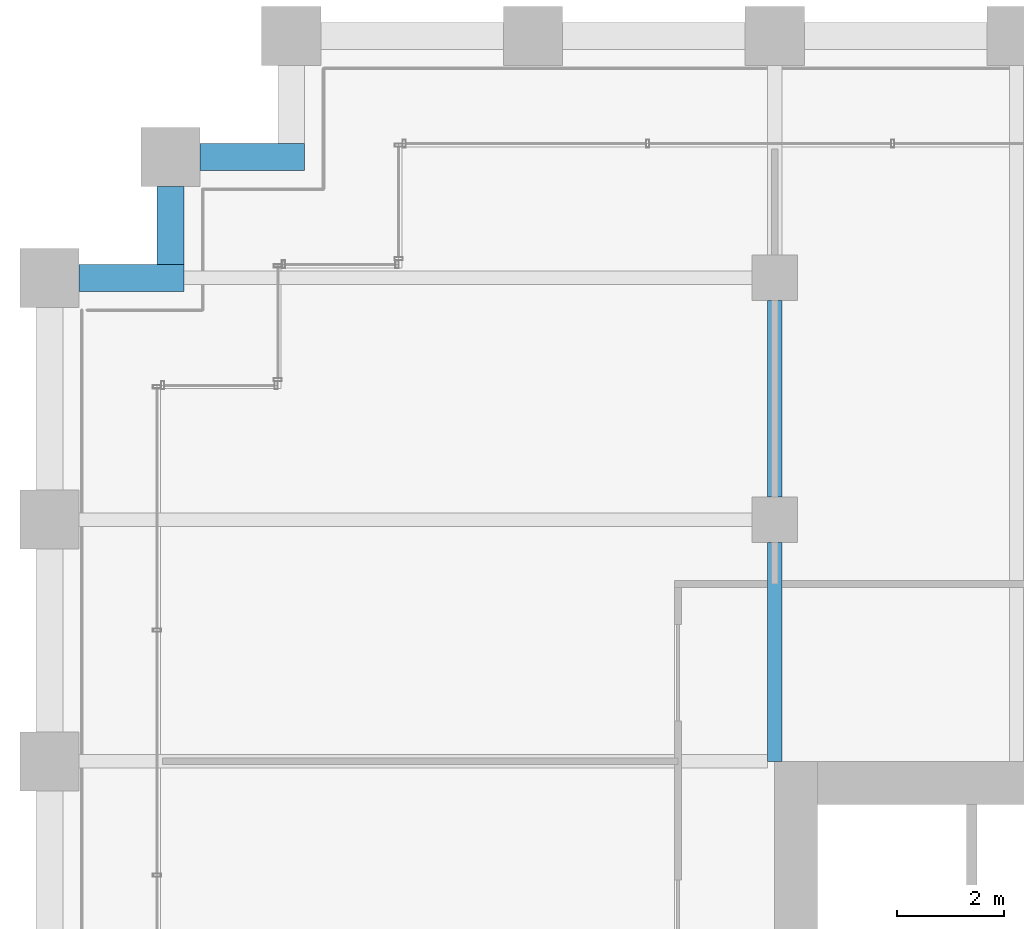
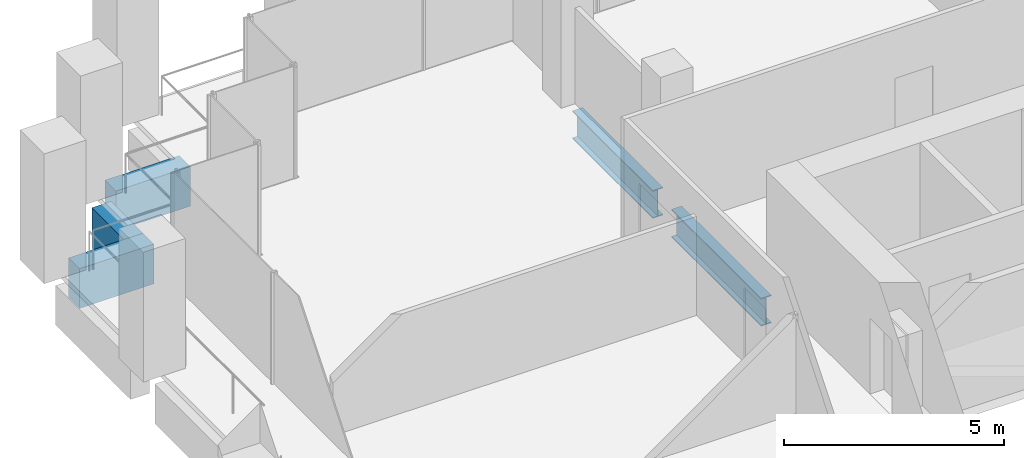
# One storey, part 25 of 56: 5 beams.
"""IFC4 building model written with IfcOpenShell, lengths in metres."""

from ifc_helpers import new_model, si_unit, direction, frame, origin, origin_2d, place, context, subcontext, project, spatial, rectangle, i_section, extrude, material, material_profile, profile_set, type_object, element, save


model = new_model("IFC4")

# Units and contexts
model_context = context("Model", 3, precision=1e-05, world=origin(), true_north=direction((0.0, 1.0)))
body_context = subcontext(model_context, "Body", "Model", "MODEL_VIEW")
ifc_project = project(units=[si_unit("LENGTHUNIT", "METRE"), si_unit("AREAUNIT", "SQUARE_METRE"), si_unit("VOLUMEUNIT", "CUBIC_METRE"), si_unit("PLANEANGLEUNIT", "RADIAN"), si_unit("MASSUNIT", "GRAM", prefix="KILO")], contexts=[model_context])

# Site, building, storey
site_placement = place(None, origin())
site = spatial("IfcSite", under=ifc_project, at=site_placement, CompositionType="ELEMENT")
building_placement = place(site_placement, origin())
building = spatial("IfcBuilding", under=site, at=building_placement, Name="Altepetl Exchange Towers", CompositionType="ELEMENT")
storey_placement = place(building_placement, frame((0.0, 0.0, 79.800048828125)))
storey = spatial("IfcBuildingStorey", under=building, at=storey_placement, Name="L19", CompositionType="ELEMENT", Elevation=79.800048828125)

# Beams
ifc_material_1 = material(Name="Steel S355", Category="steel")
ifc_material_profile_1 = material_profile(ifc_material_1, i_section(OverallWidth=0.26806640625, OverallDepth=0.77392578125, WebThickness=0.015380859375, FlangeThickness=0.025390625, at=origin_2d()), Name="W30X132")
ifc_profile_set_1 = profile_set([ifc_material_profile_1], Name="Steel S355")
beam_type_1 = type_object("IfcBeamType", Name="Girder W30X132", PredefinedType="BEAM", material=ifc_profile_set_1)
beam_1_placement = place(storey_placement, frame((40.5, 67.074951171875, -0.537109375), z_axis=(0.0, -1.0, 0.0), x_axis=(1.0, 0.0, 0.0)))
element("IfcBeam", 1, at=beam_1_placement, inside=storey, type_object=beam_type_1, Name="gd:A:L19:004", PredefinedType="BEAM", context=body_context, shape_type="SweptSolid", body=[
    extrude(i_section(OverallWidth=0.26806640625, OverallDepth=0.77392578125, WebThickness=0.015380859375, FlangeThickness=0.025390625, at=origin_2d()), origin(), (0.0, 0.0, 1.0), 3.64990234375),
])
beam_2_placement = place(storey_placement, frame((40.5, 62.574951171875, -0.537109375), z_axis=(0.0, -1.0, 0.0), x_axis=(1.0, 0.0, 0.0)))
element("IfcBeam", 2, at=beam_2_placement, inside=storey, type_object=beam_type_1, Name="gd:A:L19:005", PredefinedType="BEAM", context=body_context, shape_type="SweptSolid", body=[
    extrude(i_section(OverallWidth=0.26806640625, OverallDepth=0.77392578125, WebThickness=0.015380859375, FlangeThickness=0.025390625, at=origin_2d()), origin(), (0.0, 0.0, 1.0), 4.074951171875),
])
ifc_material_2 = material(Name="Concrete C50/60 precast with tezontle facing", Category="concrete")
ifc_material_profile_2 = material_profile(ifc_material_2, rectangle(XDim=0.5, YDim=1.10009765625, at=origin_2d()), Name="500 x 1100")
ifc_profile_set_2 = profile_set([ifc_material_profile_2], Name="Concrete C50/60 precast with tezontle facing")
beam_type_2 = type_object("IfcBeamType", Name="Spandrel beam 500x1100 tezontle", PredefinedType="SPANDREL", material=ifc_profile_set_2)
beam_3_placement = place(storey_placement, frame((31.75, 69.75, -0.699951171875), z_axis=(-1.0, 0.0, 0.0), x_axis=(0.0, -1.0, 0.0)))
element("IfcBeam", 3, at=beam_3_placement, inside=storey, type_object=beam_type_2, Name="sp:A:L19:033", PredefinedType="SPANDREL", context=body_context, shape_type="SweptSolid", body=[
    extrude(rectangle(XDim=0.5, YDim=1.10009765625, at=origin_2d()), origin(), (0.0, 0.0, 1.0), 1.949951171875),
])
beam_4_placement = place(storey_placement, frame((29.25, 69.199951171875, -0.699951171875), z_axis=(0.0, -1.0, 0.0), x_axis=(1.0, 0.0, 0.0)))
element("IfcBeam", 4, at=beam_4_placement, inside=storey, type_object=beam_type_2, Name="sp:A:L19:034", PredefinedType="SPANDREL", context=body_context, shape_type="SweptSolid", body=[
    extrude(rectangle(XDim=0.5, YDim=1.10009765625, at=origin_2d()), origin(), (0.0, 0.0, 1.0), 1.449951171875),
])
beam_5_placement = place(storey_placement, frame((29.5, 67.5, -0.699951171875), z_axis=(-1.0, 0.0, 0.0), x_axis=(0.0, -1.0, 0.0)))
element("IfcBeam", 5, at=beam_5_placement, inside=storey, type_object=beam_type_2, Name="sp:A:L19:035", PredefinedType="SPANDREL", context=body_context, shape_type="SweptSolid", body=[
    extrude(rectangle(XDim=0.5, YDim=1.10009765625, at=origin_2d()), origin(), (0.0, 0.0, 1.0), 1.949951171875),
])

save(model, "model.ifc")
